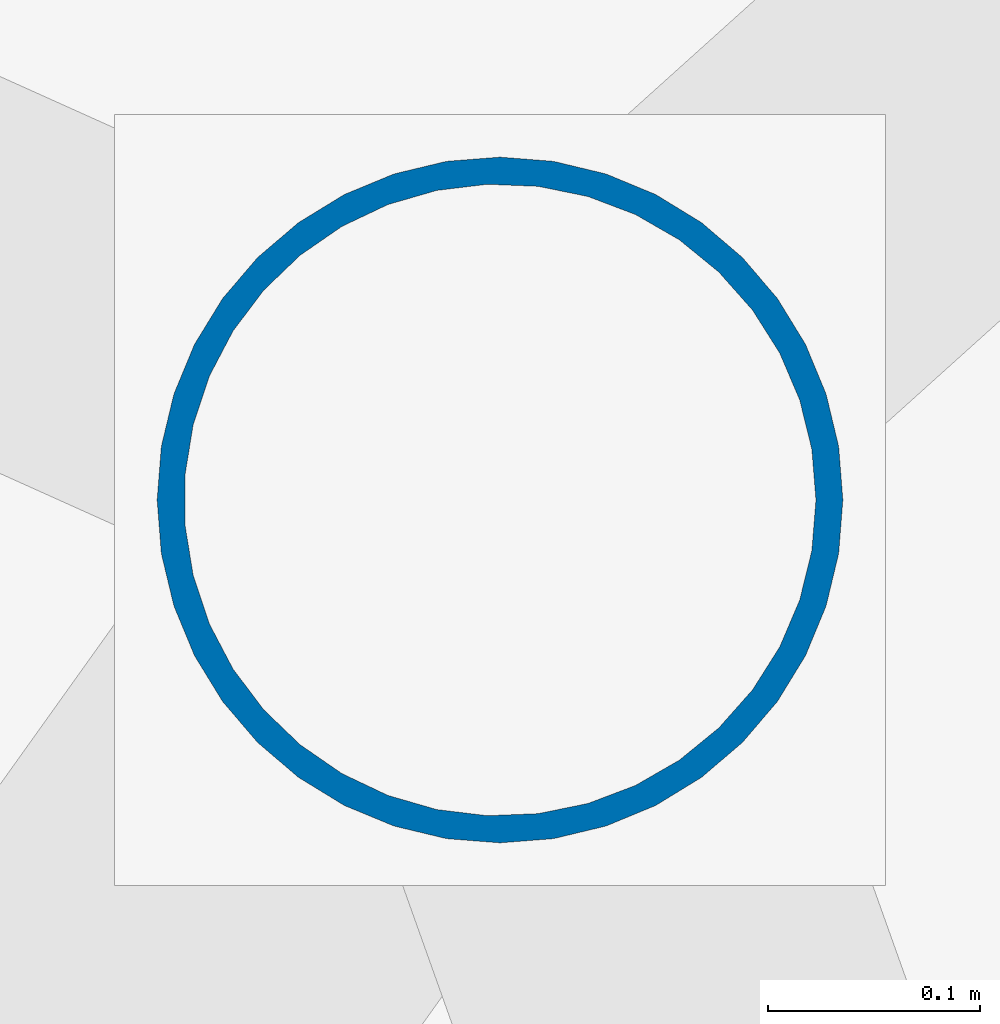
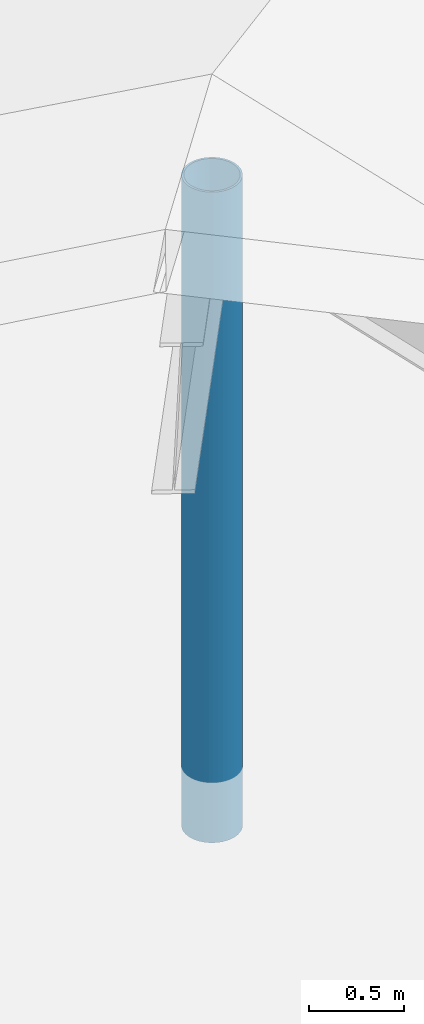
# One storey, part 17 of 79: 1 column.
"""IFC4 building model written with IfcOpenShell, lengths in metres."""

from ifc_helpers import new_model, si_unit, direction, frame, origin, origin_2d, place, context, subcontext, project, spatial, hollow_circle, extrude, material, material_profile, profile_set, type_object, element, save


model = new_model("IFC4")

# Units and contexts
model_context = context("Model", 3, precision=1e-05, world=origin(), true_north=direction((0.0, 1.0)))
body_context = subcontext(model_context, "Body", "Model", "MODEL_VIEW")
ifc_project = project(units=[si_unit("LENGTHUNIT", "METRE"), si_unit("AREAUNIT", "SQUARE_METRE"), si_unit("VOLUMEUNIT", "CUBIC_METRE"), si_unit("PLANEANGLEUNIT", "RADIAN"), si_unit("MASSUNIT", "GRAM", prefix="KILO")], contexts=[model_context])

# Site, building, storey
site_placement = place(None, origin())
site = spatial("IfcSite", under=ifc_project, at=site_placement, CompositionType="ELEMENT")
building_placement = place(site_placement, origin())
building = spatial("IfcBuilding", under=site, at=building_placement, Name="Tarnwether General Hospital", CompositionType="ELEMENT")
storey_placement = place(building_placement, frame((0.0, 0.0, 18.300048828125)))
storey = spatial("IfcBuildingStorey", under=building, at=storey_placement, Name="L04", CompositionType="ELEMENT", Elevation=18.300048828125)

# Column
ifc_material = material(Name="Steel Grade C350L0 (350 MPa)", Category="steel")
ifc_material_profile = material_profile(ifc_material, hollow_circle(Radius=0.161865234375, WallThickness=0.0126953125, at=origin_2d()), Name="CHS323.9x12.7")
ifc_profile_set = profile_set([ifc_material_profile], Name="Steel Grade C350L0 (350 MPa)")
column_type = type_object("IfcColumnType", Name="COL-26", PredefinedType="COLUMN", material=ifc_profile_set)
column_placement = place(storey_placement, frame((168.0, 115.199951171875, 0.0), z_axis=(0.0, 0.0, 1.0), x_axis=(1.0, 0.0, 0.0)))
element("IfcColumn", 1, at=column_placement, inside=storey, type_object=column_type, Name="Origami Roof King Post Column COL-ORIG-KP-V6N", PredefinedType="COLUMN", context=body_context, shape_type="SweptSolid", body=[
    extrude(hollow_circle(Radius=0.161865234375, WallThickness=0.0126953125, at=origin_2d()), origin(), (0.0, 0.0, 1.0), 4.199951171875),
])

save(model, "model.ifc")
